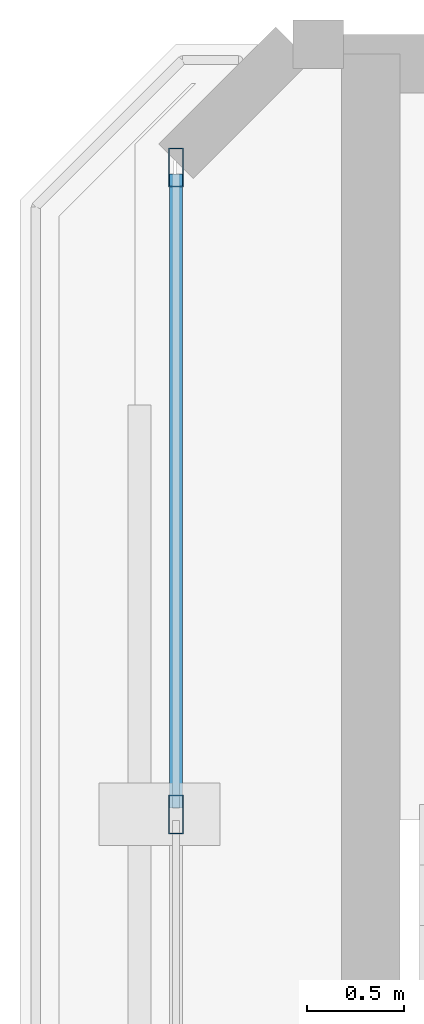
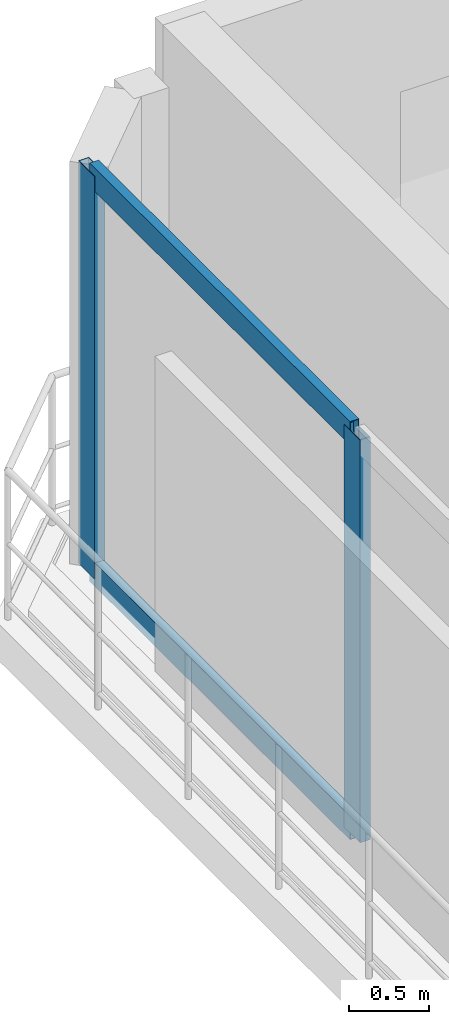
# One storey, part 3 of 7: 4 members, 1 element without a shape of its own.
"""IFC4 building model written with IfcOpenShell, lengths in metres."""

from ifc_helpers import new_model, si_unit, direction, frame, origin, origin_2d, place, context, subcontext, project, spatial, hollow_rectangle, extrude, material, layer, layer_set, material_profile, profile_set, type_object, element, aggregate, save


model = new_model("IFC4")

# Units and contexts
model_context = context("Model", 3, precision=1e-05, world=origin(), true_north=direction((0.0, 1.0)))
body_context = subcontext(model_context, "Body", "Model", "MODEL_VIEW")
ifc_project = project(units=[si_unit("LENGTHUNIT", "METRE"), si_unit("AREAUNIT", "SQUARE_METRE"), si_unit("VOLUMEUNIT", "CUBIC_METRE"), si_unit("PLANEANGLEUNIT", "RADIAN"), si_unit("MASSUNIT", "GRAM", prefix="KILO")], contexts=[model_context])

# Site, building, storey
site_placement = place(None, origin())
site = spatial("IfcSite", under=ifc_project, at=site_placement, CompositionType="ELEMENT")
building_placement = place(site_placement, origin())
building = spatial("IfcBuilding", under=site, at=building_placement, Name="Catumbela Crestline Tower", CompositionType="ELEMENT")
storey_placement = place(building_placement, frame((0.0, 0.0, 315.0)))
storey = spatial("IfcBuildingStorey", under=building, at=storey_placement, Name="L81", CompositionType="ELEMENT", Elevation=315.0)

# Curtain wall, members
ifc_material = material(Name="Aluminium alloy AW-6060-T66", Category="aluminium")
ifc_layer = layer(ifc_material, 0.18, Name="Aluminium alloy AW-6060-T66")
ifc_layer_set = layer_set([ifc_layer], Name="Aluminium alloy AW-6060-T66")
curtain_wall_type = type_object("IfcCurtainWallType", Name="CWS-OBS", PredefinedType="USERDEFINED", material=ifc_layer_set)
curtain_wall_placement = place(storey_placement, origin())
curtain_wall = element("IfcCurtainWall", 1, at=curtain_wall_placement, inside=storey, type_object=curtain_wall_type, Name="L81 Stick Curtain Wall CW-L81-E6S1", ObjectType="STICK", PredefinedType="USERDEFINED")
ifc_material_profile_1 = material_profile(ifc_material, hollow_rectangle(XDim=0.075, YDim=0.2, WallThickness=0.005, at=origin_2d()), Name="ALU 200x75x5")
ifc_profile_set_1 = profile_set([ifc_material_profile_1], Name="Aluminium alloy AW-6060-T66")
member_type_1 = type_object("IfcMemberType", Name="MUL-200X75", PredefinedType="MULLION", material=ifc_profile_set_1)
member_1_placement = place(storey_placement, frame((15.0, 42.3675, 0.0), z_axis=(0.0, 0.0, 1.0), x_axis=(1.0, 0.0, 0.0)))
member_1 = element("IfcMember", 2, at=member_1_placement, type_object=member_type_1, Name="CWS-OBS mullion 1", PredefinedType="MULLION", context=body_context, shape_type="SweptSolid", body=[
    extrude(hollow_rectangle(XDim=0.075, YDim=0.2, WallThickness=0.005, at=origin_2d()), origin(), (0.0, 0.0, 1.0), 3.07),
])
member_2_placement = place(storey_placement, frame((15.0, 39.05, 0.0), z_axis=(0.0, 0.0, 1.0), x_axis=(1.0, 0.0, 0.0)))
member_2 = element("IfcMember", 3, at=member_2_placement, type_object=member_type_1, Name="CWS-OBS mullion 2", PredefinedType="MULLION", context=body_context, shape_type="SweptSolid", body=[
    extrude(hollow_rectangle(XDim=0.075, YDim=0.2, WallThickness=0.005, at=origin_2d()), origin(), (0.0, 0.0, 1.0), 3.07),
])
ifc_material_profile_2 = material_profile(ifc_material, hollow_rectangle(XDim=0.065, YDim=0.18, WallThickness=0.004, at=origin_2d()), Name="ALU 180x65x4")
ifc_profile_set_2 = profile_set([ifc_material_profile_2], Name="Aluminium alloy AW-6060-T66")
member_type_2 = type_object("IfcMemberType", Name="TRN-180X65", PredefinedType="USERDEFINED", material=ifc_profile_set_2)
member_3_placement = place(storey_placement, frame((15.0, 42.335, 0.03), z_axis=(0.0, -1.0, 0.0), x_axis=(1.0, 0.0, 0.0)))
member_3 = element("IfcMember", 4, at=member_3_placement, type_object=member_type_2, Name="CWS-OBS transom 1.1", ObjectType="TRANSOM", PredefinedType="USERDEFINED", context=body_context, shape_type="SweptSolid", body=[
    extrude(hollow_rectangle(XDim=0.065, YDim=0.18, WallThickness=0.004, at=origin_2d()), origin(), (0.0, 0.0, 1.0), 3.2525),
])
member_4_placement = place(storey_placement, frame((15.0, 42.335, 3.04), z_axis=(0.0, -1.0, 0.0), x_axis=(1.0, 0.0, 0.0)))
member_4 = element("IfcMember", 5, at=member_4_placement, type_object=member_type_2, Name="CWS-OBS transom 1.2", ObjectType="TRANSOM", PredefinedType="USERDEFINED", context=body_context, shape_type="SweptSolid", body=[
    extrude(hollow_rectangle(XDim=0.065, YDim=0.18, WallThickness=0.004, at=origin_2d()), origin(), (0.0, 0.0, 1.0), 3.2525),
])
aggregate(curtain_wall, [member_1, member_2, member_3, member_4])

save(model, "model.ifc")
